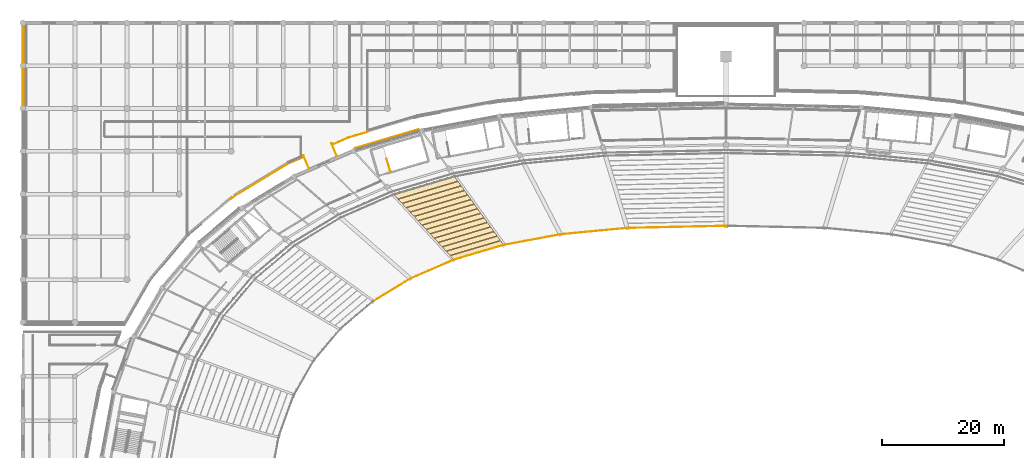
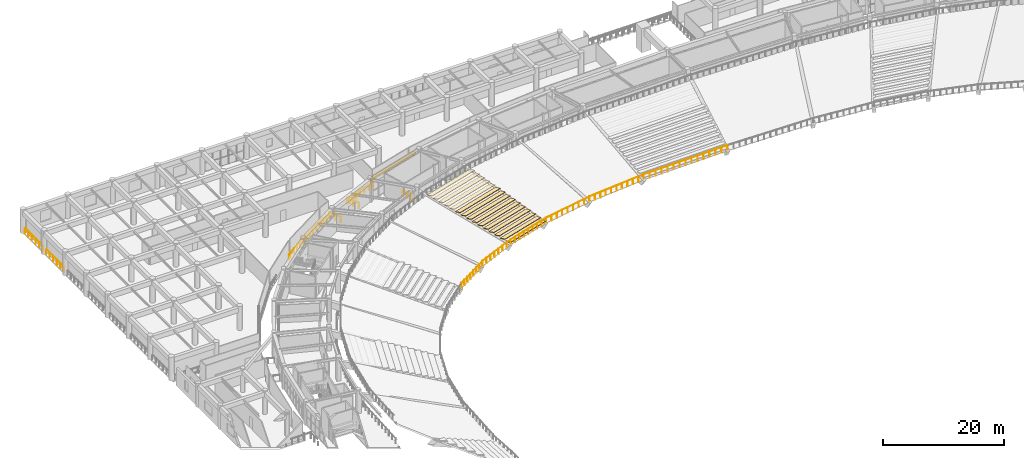
# One storey, part 132 of 137: 16 coverings, 8 railings.
"""IFC4 building model written with IfcOpenShell, lengths in metres."""

from ifc_helpers import new_model, si_unit, direction, frame, origin, origin_2d, place, context, subcontext, project, spatial, polyline, rectangle, circle, outline, extrude, material, layer, layer_set, type_object, element, save


model = new_model("IFC4")

# Units and contexts
model_context = context("Model", 3, precision=1e-05, world=origin(), true_north=direction((0.0, 1.0)))
body_context = subcontext(model_context, "Body", "Model", "MODEL_VIEW")
ifc_project = project(units=[si_unit("LENGTHUNIT", "METRE"), si_unit("AREAUNIT", "SQUARE_METRE"), si_unit("VOLUMEUNIT", "CUBIC_METRE"), si_unit("PLANEANGLEUNIT", "RADIAN"), si_unit("MASSUNIT", "GRAM", prefix="KILO")], contexts=[model_context])

# Site, building, storey
site_placement = place(None, origin())
site = spatial("IfcSite", under=ifc_project, at=site_placement, CompositionType="ELEMENT")
building_placement = place(site_placement, origin())
building = spatial("IfcBuilding", under=site, at=building_placement, Name="Mphavela Belvedere Stadium", CompositionType="ELEMENT")
storey_placement = place(building_placement, frame((0.0, 0.0, 19.199951171875)))
storey = spatial("IfcBuildingStorey", under=building, at=storey_placement, Name="L04", CompositionType="ELEMENT", Elevation=19.199951171875)

# Coverings
ifc_material_1 = material(Name="Carved classical limestone entablature frieze cladding", Category="masonry")
ifc_layer_1 = layer(ifc_material_1, 0.06005859375)
ifc_layer_set_1 = layer_set([ifc_layer_1], Name="Carved classical limestone entablature frieze cladding")
covering_type_1 = type_object("IfcCoveringType", Name="COV-FRIEZE-CLAD", PredefinedType="CLADDING", material=ifc_layer_set_1)
covering_1_placement = place(storey_placement, frame((59.53955078125, 155.05078125, 3.594970703125), z_axis=(0.0, 0.0, 1.0), x_axis=(-0.958670893355, -0.284517342588, 0.0)))
element("IfcCovering", 1, at=covering_1_placement, inside=storey, type_object=covering_type_1, Name="Classical entablature frieze cladding L04-16", PredefinedType="CLADDING", context=body_context, shape_type="SweptSolid", body=[
    extrude(rectangle(XDim=10.82080078125, YDim=0.06005859375, at=origin_2d()), origin(), (0.0, 0.0, 1.0), 0.85009765625),
])
ifc_material_2 = material(Name="Precast seating row terrazzo finish", Category="concrete")
ifc_layer_2 = layer(ifc_material_2, 0.1201171875)
ifc_layer_set_2 = layer_set([ifc_layer_2], Name="Precast seating row terrazzo finish")
covering_type_2 = type_object("IfcCoveringType", Name="COV-SEAT-ROW-U", PredefinedType="FLOORING", material=ifc_layer_set_2)
covering_2_placement = place(storey_placement, frame((0.0, 0.0, -3.4033203125)))
element("IfcCovering", 2, at=covering_2_placement, inside=storey, type_object=covering_type_2, Name="Upper stand seating row bench B16-R01", PredefinedType="FLOORING", context=body_context, shape_type="SweptSolid", body=[
    extrude(outline(polyline([(78.6357421875, 137.6728515625), (70.504150390625, 135.259033203125), (69.901123046875, 135.9130859375), (78.14306640625, 138.359619140625), (78.6357421875, 137.6728515625)])), origin(), (0.0, 0.0, 1.0), 0.1201171875),
])
covering_3_placement = place(storey_placement, frame((0.0, 0.0, -2.936767578125)))
element("IfcCovering", 3, at=covering_3_placement, inside=storey, type_object=covering_type_2, Name="Upper stand seating row bench B16-R02", PredefinedType="FLOORING", context=body_context, shape_type="SweptSolid", body=[
    extrude(outline(polyline([(78.10009765625, 138.419189453125), (69.8486328125, 135.969970703125), (69.245849609375, 136.623779296875), (77.607421875, 139.105712890625), (78.10009765625, 138.419189453125)])), origin(), (0.0, 0.0, 1.0), 0.1201171875),
])
covering_4_placement = place(storey_placement, frame((0.0, 0.0, -2.469970703125)))
element("IfcCovering", 4, at=covering_4_placement, inside=storey, type_object=covering_type_2, Name="Upper stand seating row bench B16-R03", PredefinedType="FLOORING", context=body_context, shape_type="SweptSolid", body=[
    extrude(outline(polyline([(77.564453125, 139.16552734375), (69.193359375, 136.6806640625), (68.59033203125, 137.334716796875), (77.07177734375, 139.85205078125), (77.564453125, 139.16552734375)])), origin(), (0.0, 0.0, 1.0), 0.1201171875),
])
covering_5_placement = place(storey_placement, frame((0.0, 0.0, -2.003173828125)))
element("IfcCovering", 5, at=covering_5_placement, inside=storey, type_object=covering_type_2, Name="Upper stand seating row bench B16-R04", PredefinedType="FLOORING", context=body_context, shape_type="SweptSolid", body=[
    extrude(outline(polyline([(77.029052734375, 139.911865234375), (68.5380859375, 137.3916015625), (67.93505859375, 138.04541015625), (76.5361328125, 140.598388671875), (77.029052734375, 139.911865234375)])), origin(), (0.0, 0.0, 1.0), 0.119873046875),
])
covering_6_placement = place(storey_placement, frame((0.0, 0.0, -1.53662109375)))
element("IfcCovering", 6, at=covering_6_placement, inside=storey, type_object=covering_type_2, Name="Upper stand seating row bench B16-R05", PredefinedType="FLOORING", context=body_context, shape_type="SweptSolid", body=[
    extrude(outline(polyline([(76.493408203125, 140.658203125), (67.882568359375, 138.102294921875), (67.27978515625, 138.756103515625), (76.00048828125, 141.3447265625), (76.493408203125, 140.658203125)])), origin(), (0.0, 0.0, 1.0), 0.119873046875),
])
covering_7_placement = place(storey_placement, frame((0.0, 0.0, -1.070068359375)))
element("IfcCovering", 7, at=covering_7_placement, inside=storey, type_object=covering_type_2, Name="Upper stand seating row bench B16-R06", PredefinedType="FLOORING", context=body_context, shape_type="SweptSolid", body=[
    extrude(outline(polyline([(75.957763671875, 141.404541015625), (67.227294921875, 138.81298828125), (66.624267578125, 139.467041015625), (75.465087890625, 142.09130859375), (75.957763671875, 141.404541015625)])), origin(), (0.0, 0.0, 1.0), 0.1201171875),
])
covering_8_placement = place(storey_placement, frame((0.0, 0.0, -0.603271484375)))
element("IfcCovering", 8, at=covering_8_placement, inside=storey, type_object=covering_type_2, Name="Upper stand seating row bench B16-R07", PredefinedType="FLOORING", context=body_context, shape_type="SweptSolid", body=[
    extrude(outline(polyline([(75.422119140625, 142.15087890625), (66.572021484375, 139.523681640625), (65.968994140625, 140.177734375), (74.929443359375, 142.83740234375), (75.422119140625, 142.15087890625)])), origin(), (0.0, 0.0, 1.0), 0.1201171875),
])
covering_9_placement = place(storey_placement, frame((0.0, 0.0, -0.13671875)))
element("IfcCovering", 9, at=covering_9_placement, inside=storey, type_object=covering_type_2, Name="Upper stand seating row bench B16-R08", PredefinedType="FLOORING", context=body_context, shape_type="SweptSolid", body=[
    extrude(outline(polyline([(74.88671875, 142.897216796875), (65.91650390625, 140.234619140625), (65.313720703125, 140.888671875), (74.393798828125, 143.583984375), (74.88671875, 142.897216796875)])), origin(), (0.0, 0.0, 1.0), 0.1201171875),
])
covering_10_placement = place(storey_placement, frame((0.0, 0.0, 0.330078125)))
element("IfcCovering", 10, at=covering_10_placement, inside=storey, type_object=covering_type_2, Name="Upper stand seating row bench B16-R09", PredefinedType="FLOORING", context=body_context, shape_type="SweptSolid", body=[
    extrude(outline(polyline([(74.35107421875, 143.6435546875), (65.260986328125, 140.9453125), (64.658203125, 141.599365234375), (73.858154296875, 144.330078125), (74.35107421875, 143.6435546875)])), origin(), (0.0, 0.0, 1.0), 0.119873046875),
])
covering_11_placement = place(storey_placement, frame((0.0, 0.0, 0.796630859375)))
element("IfcCovering", 11, at=covering_11_placement, inside=storey, type_object=covering_type_2, Name="Upper stand seating row bench B16-R10", PredefinedType="FLOORING", context=body_context, shape_type="SweptSolid", body=[
    extrude(outline(polyline([(73.8154296875, 144.389892578125), (64.605712890625, 141.65625), (64.002685546875, 142.31005859375), (73.322509765625, 145.07666015625), (73.8154296875, 144.389892578125)])), origin(), (0.0, 0.0, 1.0), 0.1201171875),
])
covering_12_placement = place(storey_placement, frame((0.0, 0.0, 1.263427734375)))
element("IfcCovering", 12, at=covering_12_placement, inside=storey, type_object=covering_type_2, Name="Upper stand seating row bench B16-R11", PredefinedType="FLOORING", context=body_context, shape_type="SweptSolid", body=[
    extrude(outline(polyline([(73.27978515625, 145.13623046875), (63.950439453125, 142.366943359375), (63.347412109375, 143.02099609375), (72.787109375, 145.822998046875), (73.27978515625, 145.13623046875)])), origin(), (0.0, 0.0, 1.0), 0.119873046875),
])
covering_13_placement = place(storey_placement, frame((0.0, 0.0, 1.72998046875)))
element("IfcCovering", 13, at=covering_13_placement, inside=storey, type_object=covering_type_2, Name="Upper stand seating row bench B16-R12", PredefinedType="FLOORING", context=body_context, shape_type="SweptSolid", body=[
    extrude(outline(polyline([(72.744140625, 145.882568359375), (63.294921875, 143.077880859375), (62.692138671875, 143.731689453125), (72.25146484375, 146.569091796875), (72.744140625, 145.882568359375)])), origin(), (0.0, 0.0, 1.0), 0.1201171875),
])
covering_14_placement = place(storey_placement, frame((0.0, 0.0, 2.19677734375)))
element("IfcCovering", 14, at=covering_14_placement, inside=storey, type_object=covering_type_2, Name="Upper stand seating row bench B16-R13", PredefinedType="FLOORING", context=body_context, shape_type="SweptSolid", body=[
    extrude(outline(polyline([(72.20849609375, 146.62890625), (62.6396484375, 143.78857421875), (62.03662109375, 144.4423828125), (71.7158203125, 147.315673828125), (72.20849609375, 146.62890625)])), origin(), (0.0, 0.0, 1.0), 0.119873046875),
])
covering_15_placement = place(storey_placement, frame((0.0, 0.0, 2.663330078125)))
element("IfcCovering", 15, at=covering_15_placement, inside=storey, type_object=covering_type_2, Name="Upper stand seating row bench B16-R14", PredefinedType="FLOORING", context=body_context, shape_type="SweptSolid", body=[
    extrude(outline(polyline([(71.673095703125, 147.375244140625), (61.984375, 144.49951171875), (61.38134765625, 145.1533203125), (71.18017578125, 148.06201171875), (71.673095703125, 147.375244140625)])), origin(), (0.0, 0.0, 1.0), 0.1201171875),
])
covering_16_placement = place(storey_placement, frame((0.0, 0.0, 3.130126953125)))
element("IfcCovering", 16, at=covering_16_placement, inside=storey, type_object=covering_type_2, Name="Upper stand seating row bench B16-R15", PredefinedType="FLOORING", context=body_context, shape_type="SweptSolid", body=[
    extrude(outline(polyline([(71.137451171875, 148.12158203125), (61.328857421875, 145.210205078125), (60.72607421875, 145.864013671875), (70.64453125, 148.808349609375), (71.137451171875, 148.12158203125)])), origin(), (0.0, 0.0, 1.0), 0.119873046875),
])

# Railings
ifc_material_3 = material(Name="Bronze and laminated glass stadium balustrade", Category="glass")
railing_type_1 = type_object("IfcRailingType", Name="RAL-BALUSTRADE-1120", PredefinedType="BALUSTRADE", material=ifc_material_3)
railing_1_placement = place(storey_placement, frame((51.397216796875, 152.15380859375, 0.0)))
element("IfcRailing", 17, at=railing_1_placement, inside=storey, type_object=railing_type_1, Name="Colonnade link bridge balustrade L04-17A", PredefinedType="BALUSTRADE", context=body_context, shape_type="SweptSolid", body=[
    extrude(circle(Radius=0.02392578125, at=origin_2d()), frame((0.0, 0.0, 1.09619140625), z_axis=(-0.397677406785, 0.917525302176, 0.0), x_axis=(-0.917525302176, -0.397677406785, 0.0)), (0.0, 0.0, 1.0), 2.35009765625),
    extrude(circle(Radius=0.02099609375, at=origin_2d()), origin(), (0.0, 0.0, 1.0), 1.072021484375),
    extrude(circle(Radius=0.02099609375, at=origin_2d()), frame((-0.46728515625, 1.078125, 0.0)), (0.0, 0.0, 1.0), 1.072021484375),
    extrude(circle(Radius=0.02099609375, at=origin_2d()), frame((-0.9345703125, 2.15625, 0.0)), (0.0, 0.0, 1.0), 1.072021484375),
])
railing_2_placement = place(storey_placement, frame((46.809814453125, 150.165283203125, 0.0)))
element("IfcRailing", 18, at=railing_2_placement, inside=storey, type_object=railing_type_1, Name="Colonnade link bridge balustrade L04-17B", PredefinedType="BALUSTRADE", context=body_context, shape_type="SweptSolid", body=[
    extrude(circle(Radius=0.02392578125, at=origin_2d()), frame((0.0, 0.0, 1.09619140625), z_axis=(-0.397802772945, 0.91747095531, 0.0), x_axis=(-0.91747095531, -0.397802772945, 0.0)), (0.0, 0.0, 1.0), 2.349853515625),
    extrude(circle(Radius=0.02099609375, at=origin_2d()), origin(), (0.0, 0.0, 1.0), 1.072021484375),
    extrude(circle(Radius=0.02099609375, at=origin_2d()), frame((-0.46728515625, 1.078125, 0.0)), (0.0, 0.0, 1.0), 1.072021484375),
    extrude(circle(Radius=0.02099609375, at=origin_2d()), frame((-0.934814453125, 2.156005859375, 0.0)), (0.0, 0.0, 1.0), 1.072021484375),
])
railing_3_placement = place(storey_placement, frame((115.0, 140.79296875, -3.75)))
element("IfcRailing", 19, at=railing_3_placement, inside=storey, type_object=railing_type_1, Name="Bowl safety balustrade t2_front S3", PredefinedType="BALUSTRADE", context=body_context, shape_type="SweptSolid", body=[
    extrude(circle(Radius=0.02392578125, at=origin_2d()), frame((0.0, 0.0, 1.09619140625), z_axis=(-0.999768322215, -0.021524448774, 0.0), x_axis=(0.021524448774, -0.999768322215, 0.0)), (0.0, 0.0, 1.0), 16.151611328125),
    extrude(circle(Radius=0.02392578125, at=origin_2d()), frame((-16.14794921875, -0.34765625, 1.09619140625), z_axis=(-0.995484465186, -0.094924599412, 0.0), x_axis=(0.094924599412, -0.995484465186, 0.0)), (0.0, 0.0, 1.0), 10.971923828125),
    extrude(circle(Radius=0.02392578125, at=origin_2d()), frame((-27.0703125, -1.38916015625, 1.09619140625), z_axis=(-0.983094824356, -0.18309714996, 0.0), x_axis=(0.18309714996, -0.983094824356, 0.0)), (0.0, 0.0, 1.0), 9.453857421875),
    extrude(circle(Radius=0.02392578125, at=origin_2d()), frame((-36.3642578125, -3.1201171875, 1.09619140625), z_axis=(-0.958654841276, -0.284571423896, 0.0), x_axis=(0.284571423896, -0.958654841276, 0.0)), (0.0, 0.0, 1.0), 8.482177734375),
    extrude(circle(Radius=0.02392578125, at=origin_2d()), frame((-44.495849609375, -5.533935546875, 1.09619140625), z_axis=(-0.917506303716, -0.397721237353, 0.0), x_axis=(0.397721237353, -0.917506303716, 0.0)), (0.0, 0.0, 1.0), 7.766357421875),
    extrude(circle(Radius=0.02392578125, at=origin_2d()), frame((-51.62158203125, -8.622802734375, 1.09619140625), z_axis=(-0.854327633962, -0.519734830321, 0.0), x_axis=(0.519734830321, -0.854327633962, 0.0)), (0.0, 0.0, 1.0), 7.230224609375),
    extrude(circle(Radius=0.02099609375, at=origin_2d()), origin(), (0.0, 0.0, 1.0), 1.072021484375),
    extrude(circle(Radius=0.02099609375, at=origin_2d()), frame((-1.1533203125, -0.02490234375, 0.0)), (0.0, 0.0, 1.0), 1.072021484375),
    extrude(circle(Radius=0.02099609375, at=origin_2d()), frame((-2.306884765625, -0.049560546875, 0.0)), (0.0, 0.0, 1.0), 1.072021484375),
    extrude(circle(Radius=0.02099609375, at=origin_2d()), frame((-3.460205078125, -0.074462890625, 0.0)), (0.0, 0.0, 1.0), 1.072021484375),
    extrude(circle(Radius=0.02099609375, at=origin_2d()), frame((-4.61376953125, -0.099365234375, 0.0)), (0.0, 0.0, 1.0), 1.072021484375),
    extrude(circle(Radius=0.02099609375, at=origin_2d()), frame((-5.76708984375, -0.124267578125, 0.0)), (0.0, 0.0, 1.0), 1.072021484375),
    extrude(circle(Radius=0.02099609375, at=origin_2d()), frame((-6.920654296875, -0.14892578125, 0.0)), (0.0, 0.0, 1.0), 1.072021484375),
    extrude(circle(Radius=0.02099609375, at=origin_2d()), frame((-8.073974609375, -0.173828125, 0.0)), (0.0, 0.0, 1.0), 1.072021484375),
    extrude(circle(Radius=0.02099609375, at=origin_2d()), frame((-9.227294921875, -0.19873046875, 0.0)), (0.0, 0.0, 1.0), 1.072021484375),
    extrude(circle(Radius=0.02099609375, at=origin_2d()), frame((-10.380859375, -0.223388671875, 0.0)), (0.0, 0.0, 1.0), 1.072021484375),
    extrude(circle(Radius=0.02099609375, at=origin_2d()), frame((-11.5341796875, -0.248291015625, 0.0)), (0.0, 0.0, 1.0), 1.072021484375),
    extrude(circle(Radius=0.02099609375, at=origin_2d()), frame((-12.687744140625, -0.273193359375, 0.0)), (0.0, 0.0, 1.0), 1.072021484375),
    extrude(circle(Radius=0.02099609375, at=origin_2d()), frame((-13.841064453125, -0.298095703125, 0.0)), (0.0, 0.0, 1.0), 1.072021484375),
    extrude(circle(Radius=0.02099609375, at=origin_2d()), frame((-14.99462890625, -0.32275390625, 0.0)), (0.0, 0.0, 1.0), 1.072021484375),
    extrude(circle(Radius=0.02099609375, at=origin_2d()), frame((-16.14794921875, -0.34765625, 0.0)), (0.0, 0.0, 1.0), 1.072021484375),
    extrude(circle(Radius=0.02099609375, at=origin_2d()), frame((-17.240234375, -0.451904296875, 0.0)), (0.0, 0.0, 1.0), 1.072021484375),
    extrude(circle(Radius=0.02099609375, at=origin_2d()), frame((-18.33251953125, -0.555908203125, 0.0)), (0.0, 0.0, 1.0), 1.072021484375),
    extrude(circle(Radius=0.02099609375, at=origin_2d()), frame((-19.424560546875, -0.66015625, 0.0)), (0.0, 0.0, 1.0), 1.072021484375),
    extrude(circle(Radius=0.02099609375, at=origin_2d()), frame((-20.516845703125, -0.76416015625, 0.0)), (0.0, 0.0, 1.0), 1.072021484375),
    extrude(circle(Radius=0.02099609375, at=origin_2d()), frame((-21.609130859375, -0.868408203125, 0.0)), (0.0, 0.0, 1.0), 1.072021484375),
    extrude(circle(Radius=0.02099609375, at=origin_2d()), frame((-22.701416015625, -0.97265625, 0.0)), (0.0, 0.0, 1.0), 1.072021484375),
    extrude(circle(Radius=0.02099609375, at=origin_2d()), frame((-23.793701171875, -1.07666015625, 0.0)), (0.0, 0.0, 1.0), 1.072021484375),
    extrude(circle(Radius=0.02099609375, at=origin_2d()), frame((-24.8857421875, -1.180908203125, 0.0)), (0.0, 0.0, 1.0), 1.072021484375),
    extrude(circle(Radius=0.02099609375, at=origin_2d()), frame((-25.97802734375, -1.284912109375, 0.0)), (0.0, 0.0, 1.0), 1.072021484375),
    extrude(circle(Radius=0.02099609375, at=origin_2d()), frame((-27.0703125, -1.38916015625, 0.0)), (0.0, 0.0, 1.0), 1.072021484375),
    extrude(circle(Radius=0.02099609375, at=origin_2d()), frame((-28.23193359375, -1.60546875, 0.0)), (0.0, 0.0, 1.0), 1.072021484375),
    extrude(circle(Radius=0.02099609375, at=origin_2d()), frame((-29.393798828125, -1.82177734375, 0.0)), (0.0, 0.0, 1.0), 1.072021484375),
    extrude(circle(Radius=0.02099609375, at=origin_2d()), frame((-30.5556640625, -2.038330078125, 0.0)), (0.0, 0.0, 1.0), 1.072021484375),
    extrude(circle(Radius=0.02099609375, at=origin_2d()), frame((-31.71728515625, -2.254638671875, 0.0)), (0.0, 0.0, 1.0), 1.072021484375),
    extrude(circle(Radius=0.02099609375, at=origin_2d()), frame((-32.87890625, -2.470947265625, 0.0)), (0.0, 0.0, 1.0), 1.072021484375),
    extrude(circle(Radius=0.02099609375, at=origin_2d()), frame((-34.040771484375, -2.6875, 0.0)), (0.0, 0.0, 1.0), 1.072021484375),
    extrude(circle(Radius=0.02099609375, at=origin_2d()), frame((-35.20263671875, -2.90380859375, 0.0)), (0.0, 0.0, 1.0), 1.072021484375),
    extrude(circle(Radius=0.02099609375, at=origin_2d()), frame((-36.3642578125, -3.1201171875, 0.0)), (0.0, 0.0, 1.0), 1.072021484375),
    extrude(circle(Radius=0.02099609375, at=origin_2d()), frame((-37.380615234375, -3.421875, 0.0)), (0.0, 0.0, 1.0), 1.072021484375),
    extrude(circle(Radius=0.02099609375, at=origin_2d()), frame((-38.397216796875, -3.7236328125, 0.0)), (0.0, 0.0, 1.0), 1.072021484375),
    extrude(circle(Radius=0.02099609375, at=origin_2d()), frame((-39.41357421875, -4.025390625, 0.0)), (0.0, 0.0, 1.0), 1.072021484375),
    extrude(circle(Radius=0.02099609375, at=origin_2d()), frame((-40.43017578125, -4.3271484375, 0.0)), (0.0, 0.0, 1.0), 1.072021484375),
    extrude(circle(Radius=0.02099609375, at=origin_2d()), frame((-41.446533203125, -4.628662109375, 0.0)), (0.0, 0.0, 1.0), 1.072021484375),
    extrude(circle(Radius=0.02099609375, at=origin_2d()), frame((-42.462890625, -4.930419921875, 0.0)), (0.0, 0.0, 1.0), 1.072021484375),
    extrude(circle(Radius=0.02099609375, at=origin_2d()), frame((-43.4794921875, -5.232177734375, 0.0)), (0.0, 0.0, 1.0), 1.072021484375),
    extrude(circle(Radius=0.02099609375, at=origin_2d()), frame((-44.495849609375, -5.533935546875, 0.0)), (0.0, 0.0, 1.0), 1.072021484375),
    extrude(circle(Radius=0.02099609375, at=origin_2d()), frame((-45.513916015625, -5.97509765625, 0.0)), (0.0, 0.0, 1.0), 1.072021484375),
    extrude(circle(Radius=0.02099609375, at=origin_2d()), frame((-46.53173828125, -6.41650390625, 0.0)), (0.0, 0.0, 1.0), 1.072021484375),
    extrude(circle(Radius=0.02099609375, at=origin_2d()), frame((-47.5498046875, -6.857666015625, 0.0)), (0.0, 0.0, 1.0), 1.072021484375),
    extrude(circle(Radius=0.02099609375, at=origin_2d()), frame((-48.567626953125, -7.299072265625, 0.0)), (0.0, 0.0, 1.0), 1.072021484375),
    extrude(circle(Radius=0.02099609375, at=origin_2d()), frame((-49.585693359375, -7.740234375, 0.0)), (0.0, 0.0, 1.0), 1.072021484375),
    extrude(circle(Radius=0.02099609375, at=origin_2d()), frame((-50.603515625, -8.181640625, 0.0)), (0.0, 0.0, 1.0), 1.072021484375),
    extrude(circle(Radius=0.02099609375, at=origin_2d()), frame((-51.62158203125, -8.622802734375, 0.0)), (0.0, 0.0, 1.0), 1.072021484375),
    extrude(circle(Radius=0.02099609375, at=origin_2d()), frame((-52.50390625, -9.15966796875, 0.0)), (0.0, 0.0, 1.0), 1.072021484375),
    extrude(circle(Radius=0.02099609375, at=origin_2d()), frame((-53.386474609375, -9.696533203125, 0.0)), (0.0, 0.0, 1.0), 1.072021484375),
    extrude(circle(Radius=0.02099609375, at=origin_2d()), frame((-54.268798828125, -10.2333984375, 0.0)), (0.0, 0.0, 1.0), 1.072021484375),
    extrude(circle(Radius=0.02099609375, at=origin_2d()), frame((-55.1513671875, -10.77001953125, 0.0)), (0.0, 0.0, 1.0), 1.072021484375),
    extrude(circle(Radius=0.02099609375, at=origin_2d()), frame((-56.03369140625, -11.306884765625, 0.0)), (0.0, 0.0, 1.0), 1.072021484375),
    extrude(circle(Radius=0.02099609375, at=origin_2d()), frame((-56.916259765625, -11.84375, 0.0)), (0.0, 0.0, 1.0), 1.072021484375),
    extrude(circle(Radius=0.02099609375, at=origin_2d()), frame((-57.798583984375, -12.380615234375, 0.0)), (0.0, 0.0, 1.0), 1.072021484375),
])
railing_4_placement = place(storey_placement, frame((56.3837890625, 156.15869140625, 0.0)))
element("IfcRailing", 20, at=railing_4_placement, inside=storey, type_object=railing_type_1, Name="Peristyle wing gallery edge balustrade L04-33", PredefinedType="BALUSTRADE", context=body_context, shape_type="SweptSolid", body=[
    extrude(circle(Radius=0.02392578125, at=origin_2d()), frame((0.0, 0.0, 1.09619140625), z_axis=(-0.958628081437, -0.284661556028, 0.0), x_axis=(0.284661556028, -0.958628081437, 0.0)), (0.0, 0.0, 1.0), 3.10302734375),
    extrude(circle(Radius=0.02392578125, at=origin_2d()), frame((-2.974609375, -0.88330078125, 1.09619140625), z_axis=(-0.939740596708, -0.341888301786, 0.0), x_axis=(0.341888301786, -0.939740596708, 0.0)), (0.0, 0.0, 1.0), 0.27001953125),
    extrude(circle(Radius=0.02392578125, at=origin_2d()), frame((-3.228271484375, -0.9755859375, 1.09619140625), z_axis=(-0.917490104343, -0.397758605731, 0.0), x_axis=(0.397758605731, -0.917490104343, 0.0)), (0.0, 0.0, 1.0), 2.5380859375),
    extrude(circle(Radius=0.02099609375, at=origin_2d()), origin(), (0.0, 0.0, 1.0), 1.072021484375),
    extrude(circle(Radius=0.02099609375, at=origin_2d()), frame((-0.991455078125, -0.29443359375, 0.0)), (0.0, 0.0, 1.0), 1.072021484375),
    extrude(circle(Radius=0.02099609375, at=origin_2d()), frame((-1.983154296875, -0.5888671875, 0.0)), (0.0, 0.0, 1.0), 1.072021484375),
    extrude(circle(Radius=0.02099609375, at=origin_2d()), frame((-2.974609375, -0.88330078125, 0.0)), (0.0, 0.0, 1.0), 1.072021484375),
    extrude(circle(Radius=0.02099609375, at=origin_2d()), frame((-3.228271484375, -0.9755859375, 0.0)), (0.0, 0.0, 1.0), 1.072021484375),
    extrude(circle(Radius=0.02099609375, at=origin_2d()), frame((-4.00439453125, -1.31201171875, 0.0)), (0.0, 0.0, 1.0), 1.072021484375),
    extrude(circle(Radius=0.02099609375, at=origin_2d()), frame((-4.78076171875, -1.648681640625, 0.0)), (0.0, 0.0, 1.0), 1.072021484375),
    extrude(circle(Radius=0.02099609375, at=origin_2d()), frame((-5.556884765625, -1.985107421875, 0.0)), (0.0, 0.0, 1.0), 1.072021484375),
])
railing_5_placement = place(storey_placement, frame((45.7255859375, 151.96240234375, 0.0)))
element("IfcRailing", 21, at=railing_5_placement, inside=storey, type_object=railing_type_1, Name="Peristyle wing gallery edge balustrade L04-34", PredefinedType="BALUSTRADE", context=body_context, shape_type="SweptSolid", body=[
    extrude(circle(Radius=0.02392578125, at=origin_2d()), frame((0.0, 0.0, 1.09619140625), z_axis=(-0.917490104343, -0.397758605731, 0.0), x_axis=(0.397758605731, -0.917490104343, 0.0)), (0.0, 0.0, 1.0), 2.5380859375),
    extrude(circle(Radius=0.02392578125, at=origin_2d()), frame((-2.32861328125, -1.009521484375, 1.09619140625), z_axis=(-0.887624752967, -0.460567365236, 0.0), x_axis=(0.460567365236, -0.887624752967, 0.0)), (0.0, 0.0, 1.0), 0.313232421875),
    extrude(circle(Radius=0.02392578125, at=origin_2d()), frame((-2.606689453125, -1.15380859375, 1.09619140625), z_axis=(-0.854333268174, -0.519725568826, 0.0), x_axis=(0.519725568826, -0.854333268174, 0.0)), (0.0, 0.0, 1.0), 9.90185546875),
    extrude(circle(Radius=0.02392578125, at=origin_2d()), frame((-11.066162109375, -6.300048828125, 1.09619140625), z_axis=(-0.81202574752, -0.583621611462, 0.0), x_axis=(0.583621611462, -0.81202574752, 0.0)), (0.0, 0.0, 1.0), 0.348388671875),
    extrude(circle(Radius=0.02392578125, at=origin_2d()), frame((-11.34912109375, -6.50341796875, 1.09619140625), z_axis=(-0.764291483508, -0.64487093921, 0.0), x_axis=(0.64487093921, -0.764291483508, 0.0)), (0.0, 0.0, 1.0), 0.49072265625),
    extrude(circle(Radius=0.02099609375, at=origin_2d()), origin(), (0.0, 0.0, 1.0), 1.072021484375),
    extrude(circle(Radius=0.02099609375, at=origin_2d()), frame((-0.776123046875, -0.33642578125, 0.0)), (0.0, 0.0, 1.0), 1.072021484375),
    extrude(circle(Radius=0.02099609375, at=origin_2d()), frame((-1.552490234375, -0.673095703125, 0.0)), (0.0, 0.0, 1.0), 1.072021484375),
    extrude(circle(Radius=0.02099609375, at=origin_2d()), frame((-2.32861328125, -1.009521484375, 0.0)), (0.0, 0.0, 1.0), 1.072021484375),
    extrude(circle(Radius=0.02099609375, at=origin_2d()), frame((-2.606689453125, -1.15380859375, 0.0)), (0.0, 0.0, 1.0), 1.072021484375),
    extrude(circle(Radius=0.02099609375, at=origin_2d()), frame((-3.546630859375, -1.7255859375, 0.0)), (0.0, 0.0, 1.0), 1.072021484375),
    extrude(circle(Radius=0.02099609375, at=origin_2d()), frame((-4.486572265625, -2.29736328125, 0.0)), (0.0, 0.0, 1.0), 1.072021484375),
    extrude(circle(Radius=0.02099609375, at=origin_2d()), frame((-5.426513671875, -2.869140625, 0.0)), (0.0, 0.0, 1.0), 1.072021484375),
    extrude(circle(Radius=0.02099609375, at=origin_2d()), frame((-6.366455078125, -3.44091796875, 0.0)), (0.0, 0.0, 1.0), 1.072021484375),
    extrude(circle(Radius=0.02099609375, at=origin_2d()), frame((-7.306396484375, -4.012939453125, 0.0)), (0.0, 0.0, 1.0), 1.072021484375),
    extrude(circle(Radius=0.02099609375, at=origin_2d()), frame((-8.246337890625, -4.584716796875, 0.0)), (0.0, 0.0, 1.0), 1.072021484375),
    extrude(circle(Radius=0.02099609375, at=origin_2d()), frame((-9.186279296875, -5.156494140625, 0.0)), (0.0, 0.0, 1.0), 1.072021484375),
    extrude(circle(Radius=0.02099609375, at=origin_2d()), frame((-10.126220703125, -5.728271484375, 0.0)), (0.0, 0.0, 1.0), 1.072021484375),
    extrude(circle(Radius=0.02099609375, at=origin_2d()), frame((-11.066162109375, -6.300048828125, 0.0)), (0.0, 0.0, 1.0), 1.072021484375),
    extrude(circle(Radius=0.02099609375, at=origin_2d()), frame((-11.34912109375, -6.50341796875, 0.0)), (0.0, 0.0, 1.0), 1.072021484375),
    extrude(circle(Radius=0.02099609375, at=origin_2d()), frame((-11.72412109375, -6.81982421875, 0.0)), (0.0, 0.0, 1.0), 1.072021484375),
])
for number, where, name in (
    (22, (0.080078125, 160.54345703125, 0.0), "Peristyle wing gallery edge balustrade L04-42"),
    (23, (0.080078125, 167.54345703125, 0.0), "Peristyle wing gallery edge balustrade L04-43"),
):
    element("IfcRailing", number, at=place(storey_placement, frame(where)), inside=storey, type_object=railing_type_1, Name=name, PredefinedType="BALUSTRADE", context=body_context, shape_type="SweptSolid", body=[
        extrude(circle(Radius=0.02392578125, at=origin_2d()), frame((0.0, 0.0, 1.09619140625), z_axis=(0.0, 1.0, 0.0), x_axis=(-1.0, 0.0, 0.0)), (0.0, 0.0, 1.0), 5.9130859375),
        extrude(circle(Radius=0.02099609375, at=origin_2d()), origin(), (0.0, 0.0, 1.0), 1.072021484375),
        extrude(circle(Radius=0.02099609375, at=origin_2d()), frame((0.0, 1.1826171875, 0.0)), (0.0, 0.0, 1.0), 1.072021484375),
        extrude(circle(Radius=0.02099609375, at=origin_2d()), frame((0.0, 2.365234375, 0.0)), (0.0, 0.0, 1.0), 1.072021484375),
        extrude(circle(Radius=0.02099609375, at=origin_2d()), frame((0.0, 3.5478515625, 0.0)), (0.0, 0.0, 1.0), 1.072021484375),
        extrude(circle(Radius=0.02099609375, at=origin_2d()), frame((0.0, 4.73046875, 0.0)), (0.0, 0.0, 1.0), 1.072021484375),
        extrude(circle(Radius=0.02099609375, at=origin_2d()), frame((0.0, 5.9130859375, 0.0)), (0.0, 0.0, 1.0), 1.072021484375),
    ])
ifc_material_4 = material(Name="Painted galvanised steel stair guardrail", Category="steel")
railing_type_2 = type_object("IfcRailingType", Name="RAL-GUARD-1120", PredefinedType="GUARDRAIL", material=ifc_material_4)
railing_6_placement = place(storey_placement, frame((60.112548828125, 149.68359375, 0.0)))
element("IfcRailing", 24, at=railing_6_placement, inside=storey, type_object=railing_type_2, Name="L04 ST-P03 top well guard 1", PredefinedType="GUARDRAIL", context=body_context, shape_type="SweptSolid", body=[
    extrude(circle(Radius=0.02392578125, at=origin_2d()), frame((0.0, 0.0, 1.09619140625), z_axis=(-0.28452881993, 0.958667486999, 0.0), x_axis=(-0.958667486999, -0.28452881993, 0.0)), (0.0, 0.0, 1.0), 2.169921875),
    extrude(circle(Radius=0.02099609375, at=origin_2d()), origin(), (0.0, 0.0, 1.0), 1.072021484375),
    extrude(circle(Radius=0.02099609375, at=origin_2d()), frame((-0.30859375, 1.0400390625, 0.0)), (0.0, 0.0, 1.0), 1.072021484375),
    extrude(circle(Radius=0.02099609375, at=origin_2d()), frame((-0.617431640625, 2.080322265625, 0.0)), (0.0, 0.0, 1.0), 1.072021484375),
])

save(model, "model.ifc")
